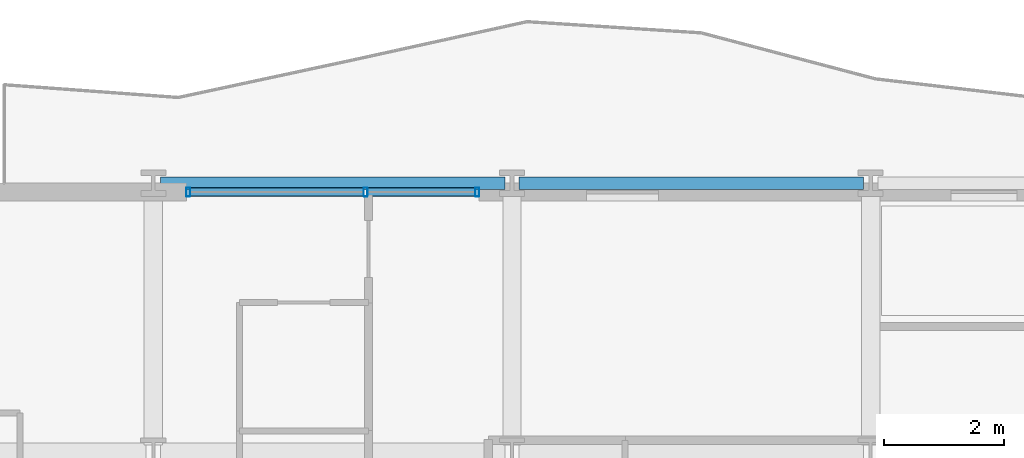
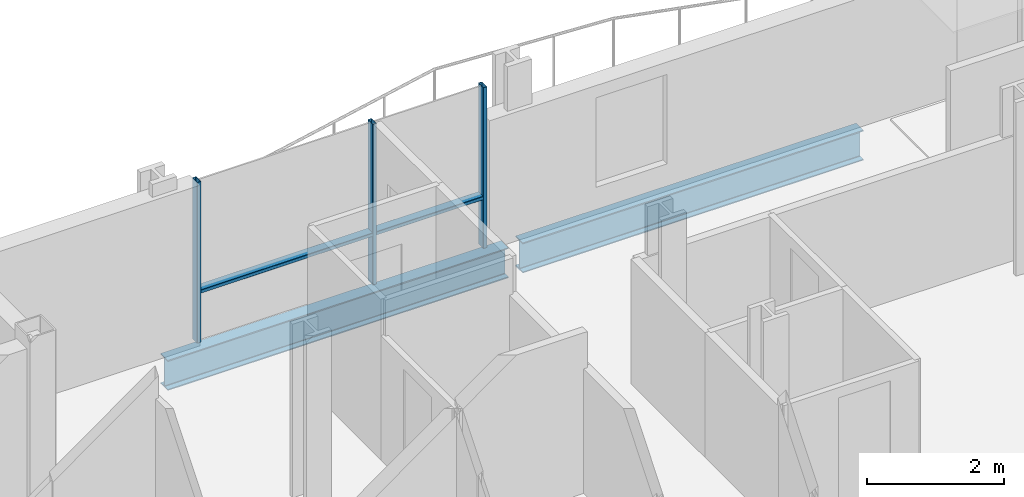
# One storey, part 21 of 40: 5 members, 2 beams, 1 element without a shape of its own.
"""IFC4 building model written with IfcOpenShell, lengths in metres."""

from ifc_helpers import new_model, si_unit, direction, frame, origin, origin_2d, place, context, subcontext, project, spatial, hollow_rectangle, i_section, extrude, material, layer, layer_set, material_profile, profile_set, type_object, element, aggregate, save


model = new_model("IFC4")

# Units and contexts
model_context = context("Model", 3, precision=1e-05, world=origin(), true_north=direction((0.0, 1.0)))
body_context = subcontext(model_context, "Body", "Model", "MODEL_VIEW")
ifc_project = project(units=[si_unit("LENGTHUNIT", "METRE"), si_unit("AREAUNIT", "SQUARE_METRE"), si_unit("VOLUMEUNIT", "CUBIC_METRE"), si_unit("PLANEANGLEUNIT", "RADIAN"), si_unit("MASSUNIT", "GRAM", prefix="KILO")], contexts=[model_context])

# Site, building, storey
site_placement = place(None, origin())
site = spatial("IfcSite", under=ifc_project, at=site_placement, CompositionType="ELEMENT")
building_placement = place(site_placement, origin())
building = spatial("IfcBuilding", under=site, at=building_placement, Name="Brevholm Reach", CompositionType="ELEMENT")
storey_placement = place(building_placement, frame((0.0, 0.0, 37.300048828125)))
storey = spatial("IfcBuildingStorey", under=building, at=storey_placement, Name="L09", CompositionType="ELEMENT", Elevation=37.300048828125)

# Beams
ifc_material_1 = material(Name="Structural Steel S355J2", Category="steel")
ifc_material_profile_1 = material_profile(ifc_material_1, i_section(OverallWidth=0.210693359375, OverallDepth=0.53955078125, WebThickness=0.01171875, FlangeThickness=0.018798828125, FilletRadius=0.0126953125, at=origin_2d()), Name="UKB 533x210x109")
ifc_profile_set_1 = profile_set([ifc_material_profile_1], Name="Structural Steel S355J2")
beam_type = type_object("IfcBeamType", Name="BM-SP539", PredefinedType="SPANDREL", material=ifc_profile_set_1)
for number, where, z_axis, x_axis, name in (
    (1, (6.1201171875, 31.0, -0.499755859375), (1.0, 0.0, 0.0), (0.0, 1.0, 0.0), "L09 SP-01B Framing Beam"),
    (2, (12.1201171875, 31.0, -0.499755859375), (1.0, 0.0, 0.0), (0.0, 1.0, 0.0), "L09 SP-01B Framing Beam"),
):
    element("IfcBeam", number, at=place(storey_placement, frame(where, z_axis=z_axis, x_axis=x_axis)), inside=storey, type_object=beam_type, Name=name, PredefinedType="SPANDREL", context=body_context, shape_type="SweptSolid", body=[
        extrude(i_section(OverallWidth=0.210693359375, OverallDepth=0.53955078125, WebThickness=0.01171875, FlangeThickness=0.018798828125, FilletRadius=0.0126953125, at=origin_2d()), origin(), (0.0, 0.0, 1.0), 5.759765625),
    ])

# Curtain wall, members
ifc_material_2 = material(Name="Dark Anodised Aluminium 6063-T6 and Solar-Control Glass", Category="aluminium")
ifc_layer = layer(ifc_material_2, 0.14990234375)
ifc_layer_set = layer_set([ifc_layer], Name="Dark Anodised Aluminium 6063-T6 and Solar-Control Glass")
curtain_wall_type = type_object("IfcCurtainWallType", Name="CW-01", PredefinedType="NOTDEFINED", material=ifc_layer_set)
curtain_wall_placement = place(storey_placement, origin())
curtain_wall = element("IfcCurtainWall", 3, at=curtain_wall_placement, inside=storey, type_object=curtain_wall_type, Name="L09 Curtain Wall CW-01", PredefinedType="NOTDEFINED")
ifc_material_3 = material(Name="Dark Anodised Aluminium 6063-T6", Category="aluminium")
ifc_material_profile_2 = material_profile(ifc_material_3, hollow_rectangle(XDim=0.06494140625, YDim=0.14990234375, WallThickness=0.0048828125, InnerFilletRadius=0.0048828125, OuterFilletRadius=0.010009765625, at=origin_2d()), Name="RHS 150x65x5")
ifc_profile_set_2 = profile_set([ifc_material_profile_2], Name="Dark Anodised Aluminium 6063-T6")
member_type_1 = type_object("IfcMemberType", Name="CWM-150", PredefinedType="MULLION", material=ifc_profile_set_2)
member_1_placement = place(storey_placement, frame((6.58251953125, 30.85009765625, 0.0), z_axis=(0.0, 0.0, 1.0), x_axis=(1.0, 0.0, 0.0)))
member_1 = element("IfcMember", 4, at=member_1_placement, type_object=member_type_1, Name="CM-150 Mullion 1", PredefinedType="MULLION", context=body_context, shape_type="SweptSolid", body=[
    extrude(hollow_rectangle(XDim=0.06494140625, YDim=0.14990234375, WallThickness=0.0048828125, InnerFilletRadius=0.0048828125, OuterFilletRadius=0.010009765625, at=origin_2d()), origin(), (0.0, 0.0, 1.0), 2.869873046875),
])
member_2_placement = place(storey_placement, frame((9.550048828125, 30.85009765625, 0.0), z_axis=(0.0, 0.0, 1.0), x_axis=(1.0, 0.0, 0.0)))
member_2 = element("IfcMember", 5, at=member_2_placement, type_object=member_type_1, Name="CM-150 Mullion 2", PredefinedType="MULLION", context=body_context, shape_type="SweptSolid", body=[
    extrude(hollow_rectangle(XDim=0.06494140625, YDim=0.14990234375, WallThickness=0.0048828125, InnerFilletRadius=0.0048828125, OuterFilletRadius=0.010009765625, at=origin_2d()), origin(), (0.0, 0.0, 1.0), 2.869873046875),
])
member_3_placement = place(storey_placement, frame((11.41748046875, 30.85009765625, 0.0), z_axis=(0.0, 0.0, 1.0), x_axis=(1.0, 0.0, 0.0)))
member_3 = element("IfcMember", 6, at=member_3_placement, type_object=member_type_1, Name="CM-150 Mullion 3", PredefinedType="MULLION", context=body_context, shape_type="SweptSolid", body=[
    extrude(hollow_rectangle(XDim=0.06494140625, YDim=0.14990234375, WallThickness=0.0048828125, InnerFilletRadius=0.0048828125, OuterFilletRadius=0.010009765625, at=origin_2d()), origin(), (0.0, 0.0, 1.0), 2.869873046875),
])
ifc_material_4 = material(Name="Dark Anodised Aluminium 6063-T6", Category="aluminium")
ifc_material_profile_3 = material_profile(ifc_material_4, hollow_rectangle(XDim=0.06494140625, YDim=0.14990234375, WallThickness=0.0048828125, InnerFilletRadius=0.0048828125, OuterFilletRadius=0.010009765625, at=origin_2d()), Name="RHS 150x65x5")
ifc_profile_set_3 = profile_set([ifc_material_profile_3], Name="Dark Anodised Aluminium 6063-T6")
member_type_2 = type_object("IfcMemberType", Name="CWT-150", PredefinedType="NOTDEFINED", material=ifc_profile_set_3)
member_4_placement = place(storey_placement, frame((6.614990234375, 30.85009765625, 0.89990234375), z_axis=(1.0, 0.0, 0.0), x_axis=(0.0, 0.0, 1.0)))
member_4 = element("IfcMember", 7, at=member_4_placement, type_object=member_type_2, Name="CT-150 Transom 1.1", ObjectType="TRANSOM", PredefinedType="USERDEFINED", context=body_context, shape_type="SweptSolid", body=[
    extrude(hollow_rectangle(XDim=0.06494140625, YDim=0.14990234375, WallThickness=0.0048828125, InnerFilletRadius=0.0048828125, OuterFilletRadius=0.010009765625, at=origin_2d()), origin(), (0.0, 0.0, 1.0), 2.902587890625),
])
member_5_placement = place(storey_placement, frame((9.58251953125, 30.85009765625, 0.89990234375), z_axis=(1.0, 0.0, 0.0), x_axis=(0.0, 0.0, 1.0)))
member_5 = element("IfcMember", 8, at=member_5_placement, type_object=member_type_2, Name="CT-150 Transom 2.1", ObjectType="TRANSOM", PredefinedType="USERDEFINED", context=body_context, shape_type="SweptSolid", body=[
    extrude(hollow_rectangle(XDim=0.06494140625, YDim=0.14990234375, WallThickness=0.0048828125, InnerFilletRadius=0.0048828125, OuterFilletRadius=0.010009765625, at=origin_2d()), origin(), (0.0, 0.0, 1.0), 1.802490234375),
])
aggregate(curtain_wall, [member_1, member_2, member_3, member_4, member_5])

save(model, "model.ifc")
